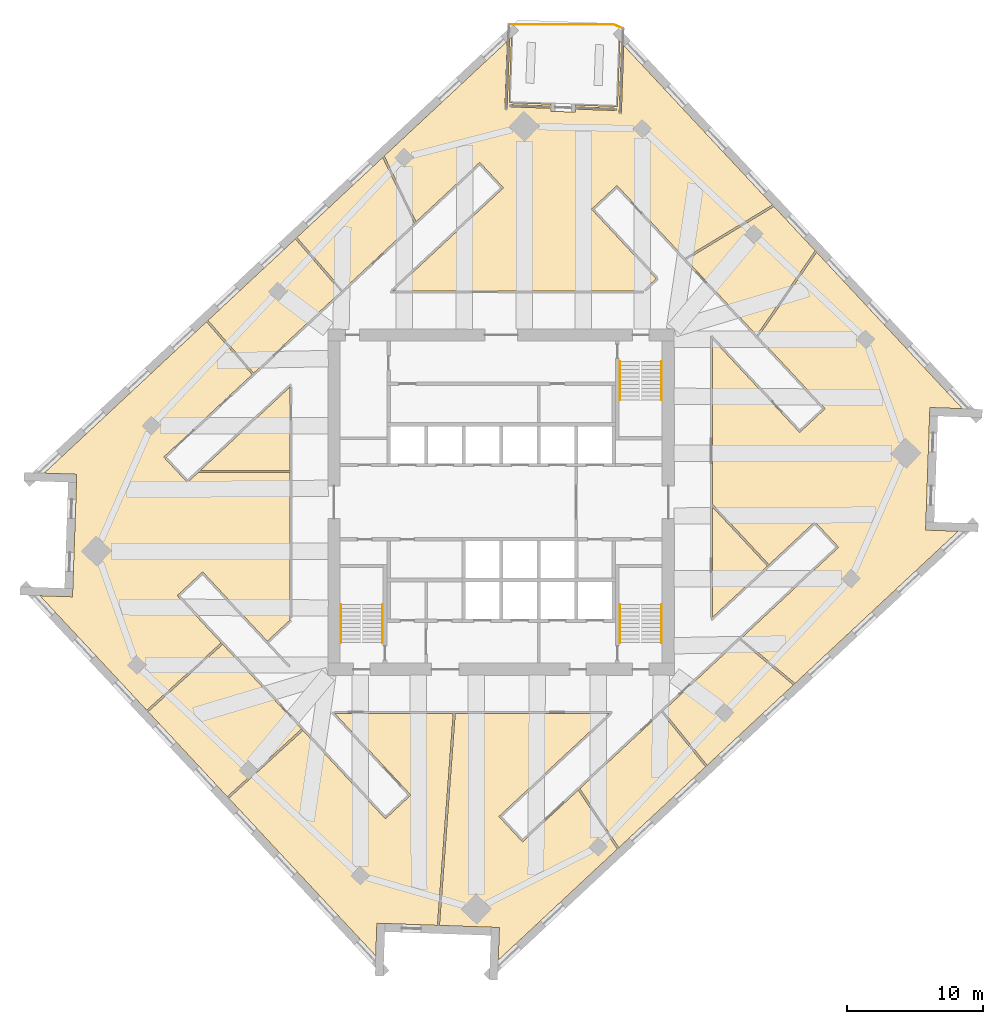
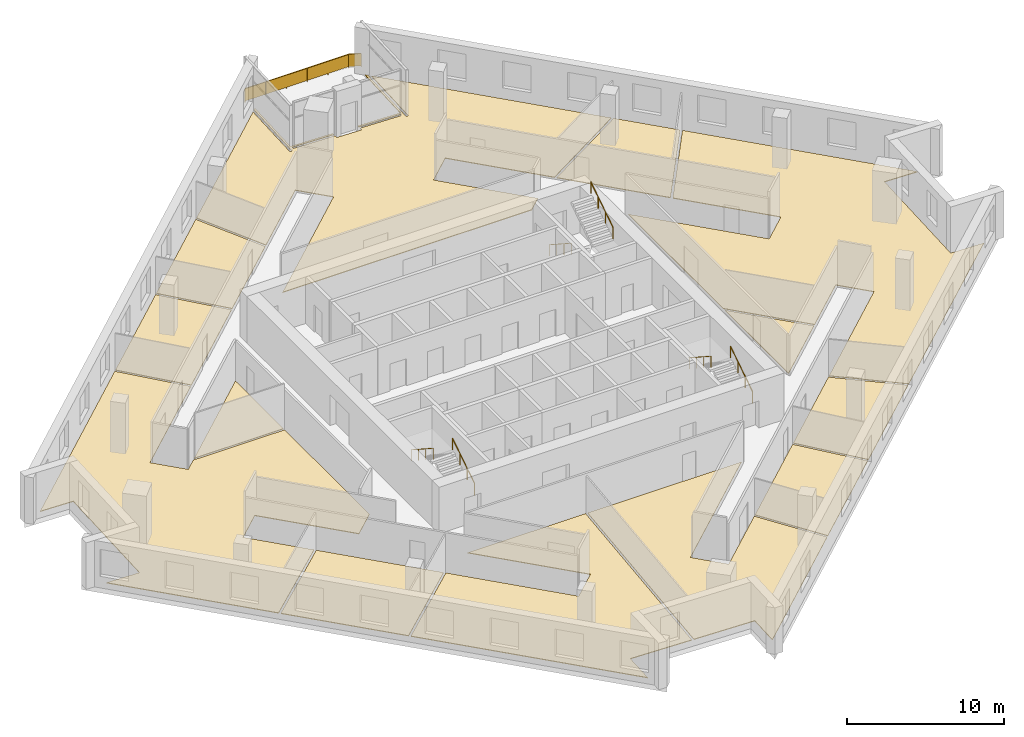
# One storey, part 9 of 10: 13 coverings, 7 railings.
"""IFC4 building model written with IfcOpenShell, lengths in metres."""

from ifc_helpers import new_model, si_unit, direction, frame, origin, origin_2d, place, context, subcontext, project, spatial, polyline, rectangle, circle, outline, extrude, material, layer, layer_set, type_object, element, save


model = new_model("IFC4")

# Units and contexts
model_context = context("Model", 3, precision=1e-05, world=origin(), true_north=direction((0.0, 1.0)))
body_context = subcontext(model_context, "Body", "Model", "MODEL_VIEW")
ifc_project = project(units=[si_unit("LENGTHUNIT", "METRE"), si_unit("AREAUNIT", "SQUARE_METRE"), si_unit("VOLUMEUNIT", "CUBIC_METRE"), si_unit("PLANEANGLEUNIT", "RADIAN"), si_unit("MASSUNIT", "GRAM", prefix="KILO")], contexts=[model_context])

# Site, building, storey
site_placement = place(None, origin())
site = spatial("IfcSite", under=ifc_project, at=site_placement, CompositionType="ELEMENT")
building_placement = place(site_placement, origin())
building = spatial("IfcBuilding", under=site, at=building_placement, Name="Dilmun Exchange Tower", CompositionType="ELEMENT")
storey_placement = place(building_placement, frame((0.0, 0.0, 197.300048828125)))
storey = spatial("IfcBuildingStorey", under=building, at=storey_placement, Name="L46", CompositionType="ELEMENT", Elevation=197.300048828125)

# Coverings
ifc_material_1 = material(Name="Carpet floor finish 50")
ifc_layer_1 = layer(ifc_material_1, 0.050048828125)
ifc_layer_set_1 = layer_set([ifc_layer_1], Name="Carpet floor finish 50")
covering_type_1 = type_object("IfcCoveringType", Name="Carpet floor finish 50", PredefinedType="FLOORING", material=ifc_layer_set_1)
covering_1_placement = place(storey_placement, origin())
element("IfcCovering", 1, at=covering_1_placement, inside=storey, type_object=covering_type_1, Name="Carpet floor finish 50 Members lounge", PredefinedType="FLOORING", context=body_context, shape_type="SweptSolid", body=[
    extrude(outline(polyline([(-18.24169921875, 9.35400390625), (-24.728759765625, 3.304931640625), (-22.98974609375, 1.43994140625), (-22.201171875, 2.175048828125), (-15.47509765625, 2.175048828125), (-15.47509765625, -8.639892578125), (-17.13671875, -10.189208984375), (-21.873779296875, -5.109130859375), (-23.739013671875, -6.848388671875), (-20.514404296875, -10.305908203125), (-25.978271484375, -15.247314453125), (-33.80810546875, -6.850830078125), (-31.41650390625, -6.934326171875), (-31.416259765625, -6.934326171875), (-31.416015625, -6.934326171875), (-31.416015625, -6.934326171875), (-31.415771484375, -6.934326171875), (-31.41552734375, -6.93408203125), (-31.415283203125, -6.93408203125), (-31.415283203125, -6.93408203125), (-31.4150390625, -6.933837890625), (-31.414794921875, -6.93359375), (-31.414794921875, -6.93359375), (-31.41455078125, -6.933349609375), (-31.41455078125, -6.93310546875), (-31.41455078125, -6.93310546875), (-31.414306640625, -6.932861328125), (-31.414306640625, -6.9326171875), (-31.414306640625, -6.9326171875), (-31.393310546875, -6.3330078125), (-31.393310546875, -6.332763671875), (-31.3935546875, -6.33251953125), (-31.3935546875, -6.33251953125), (-31.1220703125, 1.440673828125), (-31.1220703125, 1.44091796875), (-31.1220703125, 1.44091796875), (-31.1220703125, 1.441162109375), (-31.10107421875, 2.040283203125), (-31.10107421875, 2.040283203125), (-31.101318359375, 2.04052734375), (-31.101318359375, 2.040771484375), (-31.101318359375, 2.041015625), (-31.101318359375, 2.041259765625), (-31.101318359375, 2.04150390625), (-31.1015625, 2.04150390625), (-31.101806640625, 2.041748046875), (-31.101806640625, 2.041748046875), (-31.10205078125, 2.0419921875), (-31.10205078125, 2.0419921875), (-31.102294921875, 2.0419921875), (-31.1025390625, 2.042236328125), (-31.102783203125, 2.042236328125), (-31.102783203125, 2.042236328125), (-31.10302734375, 2.042236328125), (-33.49462890625, 2.125732421875), (-21.596435546875, 13.220947265625), (-18.24169921875, 9.35400390625)])), origin(), (0.0, 0.0, 1.0), 0.050048828125),
])
covering_2_placement = place(storey_placement, origin())
element("IfcCovering", 2, at=covering_2_placement, inside=storey, type_object=covering_type_1, Name="Carpet floor finish 50 Meeting room", PredefinedType="FLOORING", context=body_context, shape_type="SweptSolid", body=[
    extrude(outline(polyline([(-20.412109375, -10.415771484375), (-14.627197265625, -16.619384765625), (-20.0693359375, -21.583984375), (-25.8759765625, -15.357177734375), (-20.412109375, -10.415771484375)])), origin(), (0.0, 0.0, 1.0), 0.050048828125),
])
covering_3_placement = place(storey_placement, origin())
element("IfcCovering", 3, at=covering_3_placement, inside=storey, type_object=covering_type_1, Name="Carpet floor finish 50 Business centre 1", PredefinedType="FLOORING", context=body_context, shape_type="SweptSolid", body=[
    extrude(outline(polyline([(-18.132080078125, 9.456298828125), (-21.48681640625, 13.323486328125), (-15.081787109375, 19.2958984375), (-11.736083984375, 15.420654296875), (-18.132080078125, 9.456298828125)])), origin(), (0.0, 0.0, 1.0), 0.050048828125),
])
covering_4_placement = place(storey_placement, origin())
element("IfcCovering", 4, at=covering_4_placement, inside=storey, type_object=covering_type_1, Name="Carpet floor finish 50 Members library 1", PredefinedType="FLOORING", context=body_context, shape_type="SweptSolid", body=[
    extrude(outline(polyline([(-6.353515625, 20.440185546875), (-11.62646484375, 15.52294921875), (-14.971923828125, 19.3984375), (-8.685302734375, 25.260986328125), (-6.353515625, 20.440185546875)])), origin(), (0.0, 0.0, 1.0), 0.050048828125),
])
covering_5_placement = place(storey_placement, origin())
element("IfcCovering", 5, at=covering_5_placement, inside=storey, type_object=covering_type_1, Name="Carpet floor finish 50 Members library 2", PredefinedType="FLOORING", context=body_context, shape_type="SweptSolid", body=[
    extrude(outline(polyline([(-6.62255859375, -21.464111328125), (-12.20751953125, -15.47509765625), (-3.51708984375, -15.47509765625), (-4.67236328125, -31.00927734375), (-8.50732421875, -30.875244140625), (-9.10693359375, -30.854248046875), (-9.107177734375, -30.854248046875), (-9.107421875, -30.8544921875), (-9.107421875, -30.8544921875), (-9.107666015625, -30.8544921875), (-9.10791015625, -30.8544921875), (-9.108154296875, -30.8544921875), (-9.108154296875, -30.854736328125), (-9.1083984375, -30.85498046875), (-9.1083984375, -30.85498046875), (-9.108642578125, -30.855224609375), (-9.108642578125, -30.855224609375), (-9.10888671875, -30.85546875), (-9.10888671875, -30.855712890625), (-9.10888671875, -30.85595703125), (-9.10888671875, -30.856201171875), (-9.10888671875, -30.856201171875), (-9.192626953125, -33.247802734375), (-19.967041015625, -21.693603515625), (-14.52490234375, -16.72900390625), (-8.487548828125, -23.203369140625), (-6.62255859375, -21.464111328125)])), origin(), (0.0, 0.0, 1.0), 0.050048828125),
])
covering_6_placement = place(storey_placement, origin())
element("IfcCovering", 6, at=covering_6_placement, inside=storey, type_object=covering_type_1, Name="Carpet floor finish 50 Co-working hall 1", PredefinedType="FLOORING", context=body_context, shape_type="SweptSolid", body=[
    extrude(outline(polyline([(5.650390625, -21.095703125), (8.51123046875, -25.423095703125), (-0.2158203125, -33.561279296875), (-0.13232421875, -31.169677734375), (-0.13232421875, -31.16943359375), (-0.13232421875, -31.169189453125), (-0.13232421875, -31.169189453125), (-0.132568359375, -31.1689453125), (-0.132568359375, -31.168701171875), (-0.1328125, -31.168701171875), (-0.1328125, -31.16845703125), (-0.1328125, -31.168212890625), (-0.133056640625, -31.168212890625), (-0.13330078125, -31.16796875), (-0.13330078125, -31.16796875), (-0.133544921875, -31.167724609375), (-0.1337890625, -31.167724609375), (-0.1337890625, -31.167724609375), (-0.134033203125, -31.167724609375), (-0.13427734375, -31.167724609375), (-0.7333984375, -31.146728515625), (-0.7333984375, -31.146728515625), (-0.733642578125, -31.146728515625), (-0.73388671875, -31.146728515625), (-4.522216796875, -31.014404296875), (-3.36669921875, -15.47509765625), (7.93896484375, -15.47509765625), (-0.167236328125, -23.0341796875), (1.57177734375, -24.899169921875), (5.650390625, -21.095703125)])), origin(), (0.0, 0.0, 1.0), 0.050048828125),
])
covering_7_placement = place(storey_placement, origin())
element("IfcCovering", 7, at=covering_7_placement, inside=storey, type_object=covering_type_1, Name="Carpet floor finish 50 Garden lounge", PredefinedType="FLOORING", context=body_context, shape_type="SweptSolid", body=[
    extrude(outline(polyline([(-1.57177734375, 24.899169921875), (-6.238525390625, 20.547119140625), (-8.5703125, 25.3681640625), (0.443359375, 33.7734375), (0.268310546875, 28.763427734375), (0.2685546875, 28.76318359375), (0.2685546875, 28.76318359375), (0.2685546875, 28.762939453125), (0.2685546875, 28.7626953125), (0.268798828125, 28.762451171875), (0.268798828125, 28.76220703125), (0.268798828125, 28.76220703125), (0.26904296875, 28.761962890625), (0.26904296875, 28.761962890625), (0.269287109375, 28.76171875), (0.269287109375, 28.76171875), (0.26953125, 28.76171875), (0.269775390625, 28.761474609375), (0.27001953125, 28.761474609375), (0.270263671875, 28.761474609375), (0.2705078125, 28.761474609375), (0.430419921875, 28.755859375), (0.430419921875, 28.755859375), (0.4306640625, 28.755859375), (0.430908203125, 28.755859375), (0.43115234375, 28.755859375), (0.43115234375, 28.756103515625), (0.431396484375, 28.756103515625), (0.431640625, 28.756103515625), (0.431640625, 28.75634765625), (0.431884765625, 28.756591796875), (0.431884765625, 28.756591796875), (0.43212890625, 28.7568359375), (0.43212890625, 28.757080078125), (0.43212890625, 28.757080078125), (0.432373046875, 28.75732421875), (0.432373046875, 28.757568359375), (0.432373046875, 28.7578125), (0.613037109375, 33.931640625), (0.760986328125, 34.069580078125), (0.593505859375, 29.277587890625), (3.65380859375, 29.170654296875), (3.648681640625, 29.027587890625), (0.66357421875, 29.132080078125), (0.663330078125, 29.1318359375), (0.6630859375, 29.1318359375), (0.6630859375, 29.1318359375), (0.662841796875, 29.1318359375), (0.66259765625, 29.131591796875), (0.662353515625, 29.131591796875), (0.662353515625, 29.131591796875), (0.662109375, 29.13134765625), (0.662109375, 29.13134765625), (0.661865234375, 29.131103515625), (0.661865234375, 29.131103515625), (0.66162109375, 29.130859375), (0.66162109375, 29.130615234375), (0.66162109375, 29.13037109375), (0.66162109375, 29.130126953125), (0.66162109375, 29.1298828125), (0.656005859375, 28.97021484375), (0.656005859375, 28.969970703125), (0.656005859375, 28.9697265625), (0.656005859375, 28.969482421875), (0.656005859375, 28.96923828125), (0.656005859375, 28.96923828125), (0.65625, 28.968994140625), (0.65625, 28.96875), (0.656494140625, 28.96875), (0.656494140625, 28.968505859375), (0.65673828125, 28.968505859375), (0.656982421875, 28.96826171875), (0.656982421875, 28.96826171875), (0.6572265625, 28.96826171875), (0.657470703125, 28.968017578125), (0.65771484375, 28.968017578125), (0.65771484375, 28.968017578125), (3.64306640625, 28.86376953125), (3.635498046875, 28.64599609375), (3.635498046875, 28.645751953125), (3.635498046875, 28.6455078125), (3.635498046875, 28.6455078125), (3.635498046875, 28.645263671875), (3.635498046875, 28.64501953125), (3.6357421875, 28.644775390625), (3.6357421875, 28.644775390625), (3.635986328125, 28.64453125), (3.635986328125, 28.644287109375), (3.63623046875, 28.644287109375), (3.636474609375, 28.644287109375), (3.63671875, 28.64404296875), (3.63671875, 28.64404296875), (3.636962890625, 28.643798828125), (3.63720703125, 28.643798828125), (3.63720703125, 28.643798828125), (5.436279296875, 28.5810546875), (5.436279296875, 28.5810546875), (5.4365234375, 28.5810546875), (5.436767578125, 28.5810546875), (5.43701171875, 28.5810546875), (5.437255859375, 28.581298828125), (5.4375, 28.581298828125), (5.4375, 28.581298828125), (5.437744140625, 28.58154296875), (5.437744140625, 28.581787109375), (5.43798828125, 28.581787109375), (5.43798828125, 28.58203125), (5.43798828125, 28.582275390625), (5.438232421875, 28.582275390625), (5.438232421875, 28.58251953125), (5.438232421875, 28.582763671875), (5.438232421875, 28.5830078125), (5.44580078125, 28.80078125), (8.43115234375, 28.696533203125), (8.431396484375, 28.696533203125), (8.431640625, 28.696533203125), (8.431884765625, 28.696533203125), (8.431884765625, 28.69677734375), (8.43212890625, 28.69677734375), (8.432373046875, 28.69677734375), (8.4326171875, 28.697021484375), (8.4326171875, 28.697021484375), (8.432861328125, 28.697265625), (8.432861328125, 28.697509765625), (8.43310546875, 28.697509765625), (8.43310546875, 28.69775390625), (8.43310546875, 28.697998046875), (8.433349609375, 28.697998046875), (8.433349609375, 28.6982421875), (8.433349609375, 28.698486328125), (8.43896484375, 28.8583984375), (8.43896484375, 28.858642578125), (8.43896484375, 28.85888671875), (8.438720703125, 28.85888671875), (8.438720703125, 28.859130859375), (8.438720703125, 28.859375), (8.438720703125, 28.859619140625), (8.4384765625, 28.859619140625), (8.4384765625, 28.85986328125), (8.438232421875, 28.860107421875), (8.43798828125, 28.860107421875), (8.43798828125, 28.860107421875), (8.437744140625, 28.8603515625), (8.4375, 28.8603515625), (8.437255859375, 28.8603515625), (8.437255859375, 28.8603515625), (8.43701171875, 28.860595703125), (5.45166015625, 28.964599609375), (5.456787109375, 29.107666015625), (8.516845703125, 29.000732421875), (8.684326171875, 33.79296875), (8.822265625, 33.64501953125), (8.6416015625, 28.47119140625), (8.6416015625, 28.470947265625), (8.6416015625, 28.470703125), (8.6416015625, 28.470458984375), (8.6416015625, 28.47021484375), (8.641845703125, 28.47021484375), (8.641845703125, 28.469970703125), (8.64208984375, 28.4697265625), (8.64208984375, 28.469482421875), (8.64208984375, 28.469482421875), (8.642333984375, 28.469482421875), (8.642578125, 28.46923828125), (8.642578125, 28.46923828125), (8.642822265625, 28.468994140625), (8.64306640625, 28.468994140625), (8.643310546875, 28.468994140625), (8.6435546875, 28.468994140625), (8.803466796875, 28.46337890625), (8.8037109375, 28.46337890625), (8.8037109375, 28.46337890625), (8.803955078125, 28.46337890625), (8.80419921875, 28.46337890625), (8.80419921875, 28.463623046875), (8.804443359375, 28.463623046875), (8.8046875, 28.4638671875), (8.8046875, 28.4638671875), (8.804931640625, 28.464111328125), (8.80517578125, 28.464111328125), (8.80517578125, 28.46435546875), (8.805419921875, 28.464599609375), (8.805419921875, 28.46484375), (8.805419921875, 28.46484375), (8.805419921875, 28.465087890625), (8.805419921875, 28.46533203125), (8.98046875, 33.475341796875), (19.885986328125, 21.780517578125), (13.448486328125, 17.88330078125), (8.487548828125, 23.203369140625), (6.62255859375, 21.464111328125), (11.35986328125, 16.384033203125), (10.385009765625, 15.47509765625), (-7.93896484375, 15.47509765625), (0.167236328125, 23.0341796875), (-1.57177734375, 24.899169921875)])), origin(), (0.0, 0.0, 1.0), 0.050048828125),
])
covering_8_placement = place(storey_placement, origin())
element("IfcCovering", 8, at=covering_8_placement, inside=storey, type_object=covering_type_1, Name="Carpet floor finish 50 Members library 3", PredefinedType="FLOORING", context=body_context, shape_type="SweptSolid", body=[
    extrude(outline(polyline([(5.76171875, -20.9921875), (11.754638671875, -15.4033203125), (14.985107421875, -19.38623046875), (8.62255859375, -25.3193359375), (5.76171875, -20.9921875)])), origin(), (0.0, 0.0, 1.0), 0.050048828125),
])
covering_9_placement = place(storey_placement, origin())
element("IfcCovering", 9, at=covering_9_placement, inside=storey, type_object=covering_type_1, Name="Carpet floor finish 50 Business centre 2", PredefinedType="FLOORING", context=body_context, shape_type="SweptSolid", body=[
    extrude(outline(polyline([(11.86474609375, -15.30078125), (17.46630859375, -10.0771484375), (21.417724609375, -13.3876953125), (15.09521484375, -19.28369140625), (11.86474609375, -15.30078125)])), origin(), (0.0, 0.0, 1.0), 0.050048828125),
])
covering_10_placement = place(storey_placement, origin())
element("IfcCovering", 10, at=covering_10_placement, inside=storey, type_object=covering_type_1, Name="Carpet floor finish 50 Serviced office", PredefinedType="FLOORING", context=body_context, shape_type="SweptSolid", body=[
    extrude(outline(polyline([(19.990478515625, 21.66845703125), (23.013916015625, 18.426513671875), (18.723876953125, 12.22607421875), (13.552978515625, 17.771484375), (19.990478515625, 21.66845703125)])), origin(), (0.0, 0.0, 1.0), 0.050048828125),
])
covering_11_placement = place(storey_placement, origin())
element("IfcCovering", 11, at=covering_11_placement, inside=storey, type_object=covering_type_1, Name="Carpet floor finish 50 Co-working hall 2", PredefinedType="FLOORING", context=body_context, shape_type="SweptSolid", body=[
    extrude(outline(polyline([(21.873779296875, 5.109375), (23.738525390625, 6.84814453125), (18.82861328125, 12.11376953125), (23.118408203125, 18.314208984375), (33.80810546875, 6.850830078125), (31.41650390625, 6.934326171875), (31.416259765625, 6.934326171875), (31.416015625, 6.934326171875), (31.416015625, 6.934326171875), (31.415771484375, 6.934326171875), (31.41552734375, 6.93408203125), (31.415283203125, 6.93408203125), (31.415283203125, 6.93408203125), (31.4150390625, 6.933837890625), (31.414794921875, 6.93359375), (31.414794921875, 6.93359375), (31.41455078125, 6.933349609375), (31.41455078125, 6.93310546875), (31.41455078125, 6.93310546875), (31.414306640625, 6.932861328125), (31.414306640625, 6.9326171875), (31.414306640625, 6.9326171875), (31.393310546875, 6.3330078125), (31.393310546875, 6.332763671875), (31.3935546875, 6.33251953125), (31.3935546875, 6.33251953125), (31.1220703125, -1.440673828125), (31.1220703125, -1.44091796875), (31.1220703125, -1.44091796875), (31.1220703125, -1.441162109375), (31.10107421875, -2.040283203125), (31.10107421875, -2.040283203125), (31.101318359375, -2.04052734375), (31.101318359375, -2.040771484375), (31.101318359375, -2.041015625), (31.101318359375, -2.041259765625), (31.101318359375, -2.04150390625), (31.1015625, -2.04150390625), (31.101806640625, -2.041748046875), (31.101806640625, -2.041748046875), (31.10205078125, -2.0419921875), (31.10205078125, -2.0419921875), (31.102294921875, -2.0419921875), (31.1025390625, -2.042236328125), (31.102783203125, -2.042236328125), (31.102783203125, -2.042236328125), (31.10302734375, -2.042236328125), (33.49462890625, -2.125732421875), (21.5283203125, -13.284423828125), (17.576904296875, -9.97412109375), (24.728515625, -3.3046875), (22.989501953125, -1.440185546875), (19.625, -4.577392578125), (15.47509765625, -0.127197265625), (15.47509765625, 11.970947265625), (21.873779296875, 5.109375)])), origin(), (0.0, 0.0, 1.0), 0.050048828125),
])

# Railings
ifc_material_2 = material(Name="Stainless steel", Category="steel")
railing_type_1 = type_object("IfcRailingType", Name="Stair handrail 900", PredefinedType="HANDRAIL", material=ifc_material_2)
railing_1_placement = place(storey_placement, frame((8.699951171875, 10.300048828125, 0.181884765625)))
element("IfcRailing", 12, at=railing_1_placement, inside=storey, type_object=railing_type_1, Name="L46 ST1 stair handrail 1", PredefinedType="HANDRAIL", context=body_context, shape_type="SweptSolid", body=[
    extrude(circle(Radius=0.02392578125, at=origin_2d()), frame((0.0, 0.0, 0.8759765625), z_axis=(0.0, -0.838705829183, 0.544584733623), x_axis=(1.0, 0.0, 0.0)), (0.0, 0.0, 1.0), 3.338623046875),
    extrude(circle(Radius=0.02099609375, at=origin_2d()), origin(), (0.0, 0.0, 1.0), 0.851806640625),
    extrude(circle(Radius=0.02099609375, at=origin_2d()), frame((0.0, -0.933349609375, 0.60595703125)), (0.0, 0.0, 1.0), 0.851806640625),
    extrude(circle(Radius=0.02099609375, at=origin_2d()), frame((0.0, -1.86669921875, 1.212158203125)), (0.0, 0.0, 1.0), 0.851806640625),
    extrude(circle(Radius=0.02099609375, at=origin_2d()), frame((0.0, -2.800048828125, 1.818115234375)), (0.0, 0.0, 1.0), 0.851806640625),
])
for number, where, name in (
    (13, (11.75, 7.5, 2.181884765625), "L46 ST1 stair handrail 2"),
    (14, (-8.699951171875, -10.300048828125, 0.181884765625), "L46 ST2 stair handrail 1"),
):
    element("IfcRailing", number, at=place(storey_placement, frame(where)), inside=storey, type_object=railing_type_1, Name=name, PredefinedType="HANDRAIL", context=body_context, shape_type="SweptSolid", body=[
        extrude(circle(Radius=0.02392578125, at=origin_2d()), frame((0.0, 0.0, 0.8759765625), z_axis=(0.0, 0.838705829183, 0.544584733623), x_axis=(-1.0, 0.0, 0.0)), (0.0, 0.0, 1.0), 3.338623046875),
        extrude(circle(Radius=0.02099609375, at=origin_2d()), origin(), (0.0, 0.0, 1.0), 0.851806640625),
        extrude(circle(Radius=0.02099609375, at=origin_2d()), frame((0.0, 0.933349609375, 0.60595703125)), (0.0, 0.0, 1.0), 0.851806640625),
        extrude(circle(Radius=0.02099609375, at=origin_2d()), frame((0.0, 1.86669921875, 1.212158203125)), (0.0, 0.0, 1.0), 0.851806640625),
        extrude(circle(Radius=0.02099609375, at=origin_2d()), frame((0.0, 2.800048828125, 1.818115234375)), (0.0, 0.0, 1.0), 0.851806640625),
    ])
railing_2_placement = place(storey_placement, frame((-11.75, -7.5, 2.181884765625)))
element("IfcRailing", 15, at=railing_2_placement, inside=storey, type_object=railing_type_1, Name="L46 ST2 stair handrail 2", PredefinedType="HANDRAIL", context=body_context, shape_type="SweptSolid", body=[
    extrude(circle(Radius=0.02392578125, at=origin_2d()), frame((0.0, 0.0, 0.8759765625), z_axis=(0.0, -0.838705829183, 0.544584733623), x_axis=(1.0, 0.0, 0.0)), (0.0, 0.0, 1.0), 3.338623046875),
    extrude(circle(Radius=0.02099609375, at=origin_2d()), origin(), (0.0, 0.0, 1.0), 0.851806640625),
    extrude(circle(Radius=0.02099609375, at=origin_2d()), frame((0.0, -0.933349609375, 0.60595703125)), (0.0, 0.0, 1.0), 0.851806640625),
    extrude(circle(Radius=0.02099609375, at=origin_2d()), frame((0.0, -1.86669921875, 1.212158203125)), (0.0, 0.0, 1.0), 0.851806640625),
    extrude(circle(Radius=0.02099609375, at=origin_2d()), frame((0.0, -2.800048828125, 1.818115234375)), (0.0, 0.0, 1.0), 0.851806640625),
])
railing_3_placement = place(storey_placement, frame((11.75, -10.300048828125, 0.181884765625)))
element("IfcRailing", 16, at=railing_3_placement, inside=storey, type_object=railing_type_1, Name="L46 ST3 stair handrail 1", PredefinedType="HANDRAIL", context=body_context, shape_type="SweptSolid", body=[
    extrude(circle(Radius=0.02392578125, at=origin_2d()), frame((0.0, 0.0, 0.8759765625), z_axis=(0.0, 0.838705829183, 0.544584733623), x_axis=(-1.0, 0.0, 0.0)), (0.0, 0.0, 1.0), 3.338623046875),
    extrude(circle(Radius=0.02099609375, at=origin_2d()), origin(), (0.0, 0.0, 1.0), 0.851806640625),
    extrude(circle(Radius=0.02099609375, at=origin_2d()), frame((0.0, 0.933349609375, 0.60595703125)), (0.0, 0.0, 1.0), 0.851806640625),
    extrude(circle(Radius=0.02099609375, at=origin_2d()), frame((0.0, 1.86669921875, 1.212158203125)), (0.0, 0.0, 1.0), 0.851806640625),
    extrude(circle(Radius=0.02099609375, at=origin_2d()), frame((0.0, 2.800048828125, 1.818115234375)), (0.0, 0.0, 1.0), 0.851806640625),
])
railing_4_placement = place(storey_placement, frame((8.699951171875, -7.5, 2.181884765625)))
element("IfcRailing", 17, at=railing_4_placement, inside=storey, type_object=railing_type_1, Name="L46 ST3 stair handrail 2", PredefinedType="HANDRAIL", context=body_context, shape_type="SweptSolid", body=[
    extrude(circle(Radius=0.02392578125, at=origin_2d()), frame((0.0, 0.0, 0.8759765625), z_axis=(0.0, -0.838705829183, 0.544584733623), x_axis=(1.0, 0.0, 0.0)), (0.0, 0.0, 1.0), 3.338623046875),
    extrude(circle(Radius=0.02099609375, at=origin_2d()), origin(), (0.0, 0.0, 1.0), 0.851806640625),
    extrude(circle(Radius=0.02099609375, at=origin_2d()), frame((0.0, -0.933349609375, 0.60595703125)), (0.0, 0.0, 1.0), 0.851806640625),
    extrude(circle(Radius=0.02099609375, at=origin_2d()), frame((0.0, -1.86669921875, 1.212158203125)), (0.0, 0.0, 1.0), 0.851806640625),
    extrude(circle(Radius=0.02099609375, at=origin_2d()), frame((0.0, -2.800048828125, 1.818115234375)), (0.0, 0.0, 1.0), 0.851806640625),
])

# Covering
ifc_material_3 = material(Name="Stone floor finish 50", Category="masonry")
ifc_layer_2 = layer(ifc_material_3, 0.050048828125)
ifc_layer_set_2 = layer_set([ifc_layer_2], Name="Stone floor finish 50")
covering_type_2 = type_object("IfcCoveringType", Name="Stone floor finish 50", PredefinedType="FLOORING", material=ifc_layer_set_2)
covering_12_placement = place(storey_placement, origin())
element("IfcCovering", 18, at=covering_12_placement, inside=storey, type_object=covering_type_2, Name="Stone floor finish 50 Reception", PredefinedType="FLOORING", context=body_context, shape_type="SweptSolid", body=[
    extrude(outline(polyline([(15.47509765625, -8.447509765625), (15.47509765625, -0.34716796875), (19.515380859375, -4.6796875), (15.47509765625, -8.447509765625)])), origin(), (0.0, 0.0, 1.0), 0.050048828125),
])

# Railing
railing_type_2 = type_object("IfcRailingType", Name="Terrace guard 1100 stainless steel", PredefinedType="GUARDRAIL", material=ifc_material_2)
railing_5_placement = place(storey_placement, frame((0.568359375, 35.00341796875, 0.0)))
element("IfcRailing", 19, at=railing_5_placement, inside=storey, type_object=railing_type_2, Name="Terrace guard 1", PredefinedType="GUARDRAIL", context=body_context, shape_type="SweptSolid", body=[
    extrude(circle(Radius=0.02392578125, at=origin_2d()), frame((0.0, 0.0, 1.076171875), z_axis=(0.999999300685, 0.001182636774, 0.0), x_axis=(-0.001182636774, 0.999999300685, 0.0)), (0.0, 0.0, 1.0), 7.63818359375),
    extrude(rectangle(XDim=0.011962890625, YDim=0.951904296875, at=origin_2d()), frame((0.0, 0.0, 0.576171875), z_axis=(0.999999300685, 0.001182636774, 0.0), x_axis=(-0.001182636774, 0.999999300685, 0.0)), (0.0, 0.0, 1.0), 7.63818359375),
    extrude(circle(Radius=0.02392578125, at=origin_2d()), frame((7.63818359375, 0.009033203125, 1.076171875), z_axis=(0.925154780488, -0.379590084353, 0.0), x_axis=(0.379590084353, 0.925154780488, 0.0)), (0.0, 0.0, 1.0), 0.79443359375),
    extrude(rectangle(XDim=0.011962890625, YDim=0.951904296875, at=origin_2d()), frame((7.63818359375, 0.009033203125, 0.576171875), z_axis=(0.925154780488, -0.379590084353, 0.0), x_axis=(0.379590084353, 0.925154780488, 0.0)), (0.0, 0.0, 1.0), 0.79443359375),
    extrude(circle(Radius=0.02099609375, at=origin_2d()), origin(), (0.0, 0.0, 1.0), 1.052001953125),
    extrude(circle(Radius=0.02099609375, at=origin_2d()), frame((1.527587890625, 0.001708984375, 0.0)), (0.0, 0.0, 1.0), 1.052001953125),
    extrude(circle(Radius=0.02099609375, at=origin_2d()), frame((3.05517578125, 0.003662109375, 0.0)), (0.0, 0.0, 1.0), 1.052001953125),
    extrude(circle(Radius=0.02099609375, at=origin_2d()), frame((4.5830078125, 0.00537109375, 0.0)), (0.0, 0.0, 1.0), 1.052001953125),
    extrude(circle(Radius=0.02099609375, at=origin_2d()), frame((6.110595703125, 0.00732421875, 0.0)), (0.0, 0.0, 1.0), 1.052001953125),
    extrude(circle(Radius=0.02099609375, at=origin_2d()), frame((7.63818359375, 0.009033203125, 0.0)), (0.0, 0.0, 1.0), 1.052001953125),
    extrude(circle(Radius=0.02099609375, at=origin_2d()), frame((8.373046875, -0.29248046875, 0.0)), (0.0, 0.0, 1.0), 1.052001953125),
])

# Covering
ifc_material_4 = material(Name="Tile floor finish 50")
ifc_layer_3 = layer(ifc_material_4, 0.050048828125)
ifc_layer_set_3 = layer_set([ifc_layer_3], Name="Tile floor finish 50")
covering_type_3 = type_object("IfcCoveringType", Name="Tile floor finish 50", PredefinedType="FLOORING", material=ifc_layer_set_3)
covering_13_placement = place(storey_placement, origin())
element("IfcCovering", 20, at=covering_13_placement, inside=storey, type_object=covering_type_3, Name="Tile floor finish 50 Pantry", PredefinedType="FLOORING", context=body_context, shape_type="SweptSolid", body=[
    extrude(outline(polyline([(-15.47509765625, 8.447509765625), (-15.47509765625, 2.3251953125), (-22.040283203125, 2.3251953125), (-15.47509765625, 8.447509765625)])), origin(), (0.0, 0.0, 1.0), 0.050048828125),
])

save(model, "model.ifc")
